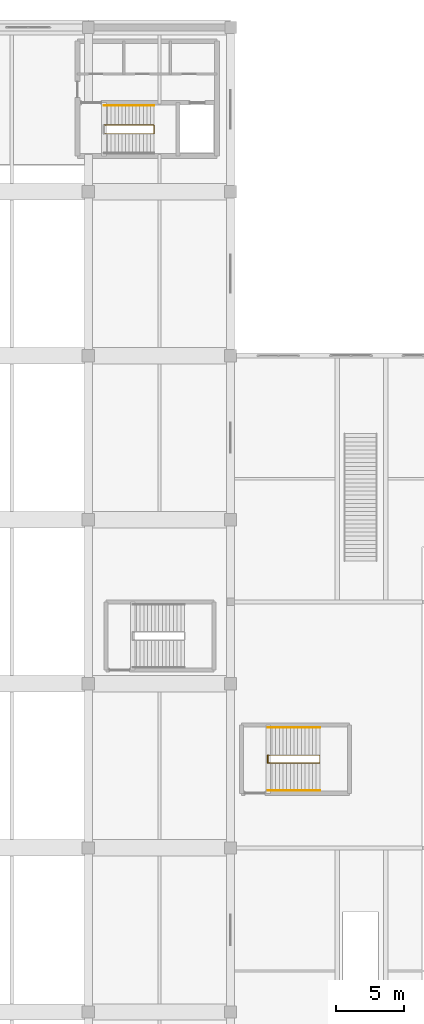
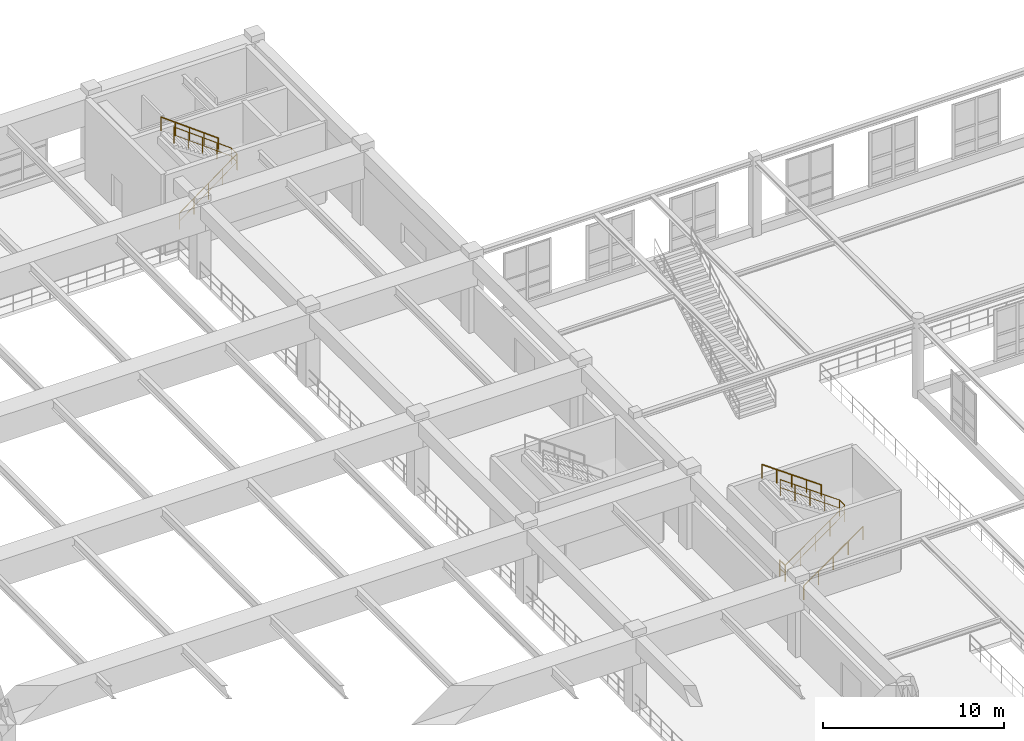
# One storey, part 192 of 197: 6 railings.
"""IFC4 building model written with IfcOpenShell, lengths in metres."""

from ifc_helpers import new_model, si_unit, derived_unit, direction, frame, origin, origin_2d, place, context, subcontext, project, spatial, circle, extrude, material, type_object, element, save


model = new_model("IFC4")

# Units and contexts
model_context = context("Model", 3, precision=1e-05, world=origin(), true_north=direction((0.0, 1.0)))
body_context = subcontext(model_context, "Body", "Model", "MODEL_VIEW")
ifc_project = project(units=[si_unit("LENGTHUNIT", "METRE"), si_unit("AREAUNIT", "SQUARE_METRE"), si_unit("VOLUMEUNIT", "CUBIC_METRE"), si_unit("PLANEANGLEUNIT", "RADIAN"), si_unit("MASSUNIT", "GRAM", prefix="KILO"), derived_unit("THERMALTRANSMITTANCEUNIT", [(si_unit("POWERUNIT", "WATT"), 1), (si_unit("LENGTHUNIT", "METRE"), -2), (si_unit("THERMODYNAMICTEMPERATUREUNIT", "KELVIN"), -1)])], contexts=[model_context])

# Site, building, storey
site_placement = place(None, origin())
site = spatial("IfcSite", under=ifc_project, at=site_placement, CompositionType="ELEMENT")
building_placement = place(site_placement, origin())
building = spatial("IfcBuilding", under=site, at=building_placement, Name="Almenara Railside Exhibition Hall", CompositionType="ELEMENT")
storey_placement = place(building_placement, frame((0.0, 0.0, 5.39990234375)))
storey = spatial("IfcBuildingStorey", under=building, at=storey_placement, Name="L01", CompositionType="ELEMENT", Elevation=5.39990234375)

# Railings
ifc_material_1 = material(Name="Bronze-finished tubular steel handrail", Category="steel")
railing_type_1 = type_object("IfcRailingType", Name="Stair Pitch Handrail 920mm", PredefinedType="HANDRAIL", material=ifc_material_1)
railing_1_placement = place(storey_placement, frame((60.39990234375, 126.300048828125, 2.7001953125)))
element("IfcRailing", 1, at=railing_1_placement, inside=storey, type_object=railing_type_1, Name="HR-L01-0014", PredefinedType="HANDRAIL", context=body_context, shape_type="SweptSolid", body=[
    extrude(circle(Radius=0.02392578125, at=origin_2d()), frame((0.0, 0.0, 0.89599609375), z_axis=(-0.803944740431, 0.0, 0.594704005647), x_axis=(0.0, -1.0, 0.0)), (0.0, 0.0, 1.0), 4.5400390625),
    extrude(circle(Radius=0.02099609375, at=origin_2d()), origin(), (0.0, 0.0, 1.0), 0.871826171875),
    extrude(circle(Radius=0.02099609375, at=origin_2d()), frame((-0.91259765625, 0.0, 0.675048828125)), (0.0, 0.0, 1.0), 0.871826171875),
    extrude(circle(Radius=0.02099609375, at=origin_2d()), frame((-1.824951171875, 0.0, 1.35009765625)), (0.0, 0.0, 1.0), 0.871826171875),
    extrude(circle(Radius=0.02099609375, at=origin_2d()), frame((-2.7373046875, 0.0, 2.02490234375)), (0.0, 0.0, 1.0), 0.871826171875),
    extrude(circle(Radius=0.02099609375, at=origin_2d()), frame((-3.64990234375, 0.0, 2.699951171875)), (0.0, 0.0, 1.0), 0.871826171875),
])
railing_2_placement = place(storey_placement, frame((68.75, 76.199951171875, 0.0)))
element("IfcRailing", 2, at=railing_2_placement, inside=storey, type_object=railing_type_1, Name="HR-L01-0105", PredefinedType="HANDRAIL", context=body_context, shape_type="SweptSolid", body=[
    extrude(circle(Radius=0.02392578125, at=origin_2d()), frame((0.0, 0.0, 0.89599609375), z_axis=(0.813715715614, 0.0, 0.581263050746), x_axis=(0.0, 1.0, 0.0)), (0.0, 0.0, 1.0), 4.6455078125),
    extrude(circle(Radius=0.02099609375, at=origin_2d()), origin(), (0.0, 0.0, 1.0), 0.871826171875),
    extrude(circle(Radius=0.02099609375, at=origin_2d()), frame((0.945068359375, 0.0, 0.675048828125)), (0.0, 0.0, 1.0), 0.871826171875),
    extrude(circle(Radius=0.02099609375, at=origin_2d()), frame((1.89013671875, 0.0, 1.35009765625)), (0.0, 0.0, 1.0), 0.871826171875),
    extrude(circle(Radius=0.02099609375, at=origin_2d()), frame((2.8349609375, 0.0, 2.025146484375)), (0.0, 0.0, 1.0), 0.871826171875),
    extrude(circle(Radius=0.02099609375, at=origin_2d()), frame((3.780029296875, 0.0, 2.7001953125)), (0.0, 0.0, 1.0), 0.871826171875),
])
railing_3_placement = place(storey_placement, frame((72.530029296875, 80.800048828125, 2.7001953125)))
element("IfcRailing", 3, at=railing_3_placement, inside=storey, type_object=railing_type_1, Name="HR-L01-0106", PredefinedType="HANDRAIL", context=body_context, shape_type="SweptSolid", body=[
    extrude(circle(Radius=0.02392578125, at=origin_2d()), frame((0.0, 0.0, 0.89599609375), z_axis=(-0.813740573448, 0.0, 0.581228250453), x_axis=(0.0, -1.0, 0.0)), (0.0, 0.0, 1.0), 4.645263671875),
    extrude(circle(Radius=0.02099609375, at=origin_2d()), origin(), (0.0, 0.0, 1.0), 0.871826171875),
    extrude(circle(Radius=0.02099609375, at=origin_2d()), frame((-0.945068359375, 0.0, 0.675048828125)), (0.0, 0.0, 1.0), 0.871826171875),
    extrude(circle(Radius=0.02099609375, at=origin_2d()), frame((-1.89013671875, 0.0, 1.35009765625)), (0.0, 0.0, 1.0), 0.871826171875),
    extrude(circle(Radius=0.02099609375, at=origin_2d()), frame((-2.8349609375, 0.0, 2.02490234375)), (0.0, 0.0, 1.0), 0.871826171875),
    extrude(circle(Radius=0.02099609375, at=origin_2d()), frame((-3.780029296875, 0.0, 2.699951171875)), (0.0, 0.0, 1.0), 0.871826171875),
])
ifc_material_2 = material(Name="Dark wrought-iron stair balustrade")
railing_type_2 = type_object("IfcRailingType", Name="Stair Well Guard Rail 1120mm", PredefinedType="BALUSTRADE", material=ifc_material_2)
railing_4_placement = place(storey_placement, frame((56.75, 124.22998046875, 0.0)))
element("IfcRailing", 4, at=railing_4_placement, inside=storey, type_object=railing_type_2, Name="SG-L01-0015", PredefinedType="BALUSTRADE", context=body_context, shape_type="SweptSolid", body=[
    extrude(circle(Radius=0.02392578125, at=origin_2d()), frame((0.0, 0.0, 1.09619140625), z_axis=(0.803919029911, 0.0, 0.594738760589), x_axis=(0.0, 1.0, 0.0)), (0.0, 0.0, 1.0), 4.5400390625),
    extrude(circle(Radius=0.01416015625, at=origin_2d()), frame((0.0, 0.0, 0.56005859375), z_axis=(0.803919029911, 0.0, 0.594738760589), x_axis=(0.0, 1.0, 0.0)), (0.0, 0.0, 1.0), 4.5400390625),
    extrude(circle(Radius=0.02392578125, at=origin_2d()), frame((3.64990234375, 0.0, 3.79638671875), z_axis=(0.0, 1.0, 0.0), x_axis=(-1.0, 0.0, 0.0)), (0.0, 0.0, 1.0), 0.64013671875),
    extrude(circle(Radius=0.01416015625, at=origin_2d()), frame((3.64990234375, 0.0, 3.26025390625), z_axis=(0.0, 1.0, 0.0), x_axis=(-1.0, 0.0, 0.0)), (0.0, 0.0, 1.0), 0.64013671875),
    extrude(circle(Radius=0.02392578125, at=origin_2d()), frame((3.64990234375, 0.64013671875, 3.79638671875), z_axis=(-0.803944740431, 0.0, 0.594704005647), x_axis=(0.0, -1.0, 0.0)), (0.0, 0.0, 1.0), 4.5400390625),
    extrude(circle(Radius=0.01416015625, at=origin_2d()), frame((3.64990234375, 0.64013671875, 3.26025390625), z_axis=(-0.803944740431, 0.0, 0.594704005647), x_axis=(0.0, -1.0, 0.0)), (0.0, 0.0, 1.0), 4.5400390625),
    extrude(circle(Radius=0.02099609375, at=origin_2d()), origin(), (0.0, 0.0, 1.0), 1.072021484375),
    extrude(circle(Radius=0.02099609375, at=origin_2d()), frame((0.91259765625, 0.0, 0.675048828125)), (0.0, 0.0, 1.0), 1.072021484375),
    extrude(circle(Radius=0.02099609375, at=origin_2d()), frame((1.824951171875, 0.0, 1.35009765625)), (0.0, 0.0, 1.0), 1.072021484375),
    extrude(circle(Radius=0.02099609375, at=origin_2d()), frame((2.7373046875, 0.0, 2.025146484375)), (0.0, 0.0, 1.0), 1.072021484375),
    extrude(circle(Radius=0.02099609375, at=origin_2d()), frame((3.64990234375, 0.0, 2.7001953125)), (0.0, 0.0, 1.0), 1.072021484375),
    extrude(circle(Radius=0.02099609375, at=origin_2d()), frame((3.64990234375, 0.64013671875, 2.7001953125)), (0.0, 0.0, 1.0), 1.072021484375),
    extrude(circle(Radius=0.02099609375, at=origin_2d()), frame((2.7373046875, 0.64013671875, 3.375244140625)), (0.0, 0.0, 1.0), 1.072021484375),
    extrude(circle(Radius=0.02099609375, at=origin_2d()), frame((1.824951171875, 0.64013671875, 4.05029296875)), (0.0, 0.0, 1.0), 1.072021484375),
    extrude(circle(Radius=0.02099609375, at=origin_2d()), frame((0.91259765625, 0.64013671875, 4.72509765625)), (0.0, 0.0, 1.0), 1.072021484375),
    extrude(circle(Radius=0.02099609375, at=origin_2d()), frame((0.0, 0.64013671875, 5.400146484375)), (0.0, 0.0, 1.0), 1.072021484375),
])
railing_5_placement = place(storey_placement, frame((68.719970703125, 78.2099609375, 0.0)))
element("IfcRailing", 5, at=railing_5_placement, inside=storey, type_object=railing_type_2, Name="SG-L01-0104", PredefinedType="BALUSTRADE", context=body_context, shape_type="SweptSolid", body=[
    extrude(circle(Radius=0.02392578125, at=origin_2d()), frame((0.0, 0.0, 1.09619140625), z_axis=(0.0, 1.0, 0.0), x_axis=(-1.0, 0.0, 0.0)), (0.0, 0.0, 1.0), 0.580078125),
    extrude(circle(Radius=0.01416015625, at=origin_2d()), frame((0.0, 0.0, 0.56005859375), z_axis=(0.0, 1.0, 0.0), x_axis=(-1.0, 0.0, 0.0)), (0.0, 0.0, 1.0), 0.580078125),
    extrude(circle(Radius=0.02099609375, at=origin_2d()), origin(), (0.0, 0.0, 1.0), 1.072021484375),
    extrude(circle(Radius=0.02099609375, at=origin_2d()), frame((0.0, 0.580078125, 0.0)), (0.0, 0.0, 1.0), 1.072021484375),
])
railing_6_placement = place(storey_placement, frame((68.75, 78.2099609375, 0.0)))
element("IfcRailing", 6, at=railing_6_placement, inside=storey, type_object=railing_type_2, Name="SG-L01-0107", PredefinedType="BALUSTRADE", context=body_context, shape_type="SweptSolid", body=[
    extrude(circle(Radius=0.02392578125, at=origin_2d()), frame((0.0, 0.0, 1.09619140625), z_axis=(0.813715715614, 0.0, 0.581263050746), x_axis=(0.0, 1.0, 0.0)), (0.0, 0.0, 1.0), 4.6455078125),
    extrude(circle(Radius=0.01416015625, at=origin_2d()), frame((0.0, 0.0, 0.56005859375), z_axis=(0.813715715614, 0.0, 0.581263050746), x_axis=(0.0, 1.0, 0.0)), (0.0, 0.0, 1.0), 4.6455078125),
    extrude(circle(Radius=0.02392578125, at=origin_2d()), frame((3.780029296875, 0.0, 3.79638671875), z_axis=(0.0, 1.0, 0.0), x_axis=(-1.0, 0.0, 0.0)), (0.0, 0.0, 1.0), 0.580078125),
    extrude(circle(Radius=0.01416015625, at=origin_2d()), frame((3.780029296875, 0.0, 3.26025390625), z_axis=(0.0, 1.0, 0.0), x_axis=(-1.0, 0.0, 0.0)), (0.0, 0.0, 1.0), 0.580078125),
    extrude(circle(Radius=0.02392578125, at=origin_2d()), frame((3.780029296875, 0.580078125, 3.79638671875), z_axis=(-0.813740573448, 0.0, 0.581228250453), x_axis=(0.0, -1.0, 0.0)), (0.0, 0.0, 1.0), 4.645263671875),
    extrude(circle(Radius=0.01416015625, at=origin_2d()), frame((3.780029296875, 0.580078125, 3.26025390625), z_axis=(-0.813740573448, 0.0, 0.581228250453), x_axis=(0.0, -1.0, 0.0)), (0.0, 0.0, 1.0), 4.645263671875),
    extrude(circle(Radius=0.02099609375, at=origin_2d()), origin(), (0.0, 0.0, 1.0), 1.072021484375),
    extrude(circle(Radius=0.02099609375, at=origin_2d()), frame((0.945068359375, 0.0, 0.675048828125)), (0.0, 0.0, 1.0), 1.072021484375),
    extrude(circle(Radius=0.02099609375, at=origin_2d()), frame((1.89013671875, 0.0, 1.35009765625)), (0.0, 0.0, 1.0), 1.072021484375),
    extrude(circle(Radius=0.02099609375, at=origin_2d()), frame((2.8349609375, 0.0, 2.025146484375)), (0.0, 0.0, 1.0), 1.072021484375),
    extrude(circle(Radius=0.02099609375, at=origin_2d()), frame((3.780029296875, 0.0, 2.7001953125)), (0.0, 0.0, 1.0), 1.072021484375),
    extrude(circle(Radius=0.02099609375, at=origin_2d()), frame((3.780029296875, 0.580078125, 2.7001953125)), (0.0, 0.0, 1.0), 1.072021484375),
    extrude(circle(Radius=0.02099609375, at=origin_2d()), frame((2.8349609375, 0.580078125, 3.375244140625)), (0.0, 0.0, 1.0), 1.072021484375),
    extrude(circle(Radius=0.02099609375, at=origin_2d()), frame((1.89013671875, 0.580078125, 4.05029296875)), (0.0, 0.0, 1.0), 1.072021484375),
    extrude(circle(Radius=0.02099609375, at=origin_2d()), frame((0.945068359375, 0.580078125, 4.72509765625)), (0.0, 0.0, 1.0), 1.072021484375),
    extrude(circle(Radius=0.02099609375, at=origin_2d()), frame((0.0, 0.580078125, 5.400146484375)), (0.0, 0.0, 1.0), 1.072021484375),
])

save(model, "model.ifc")
